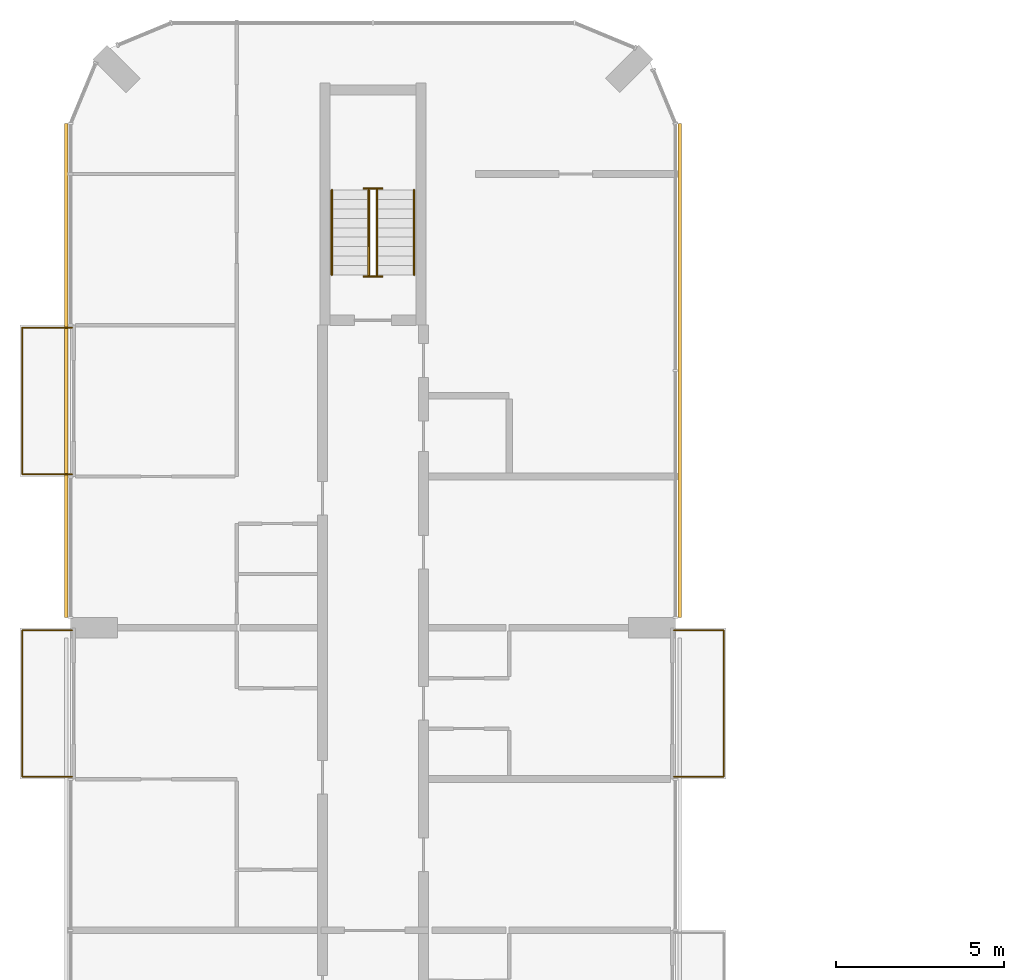
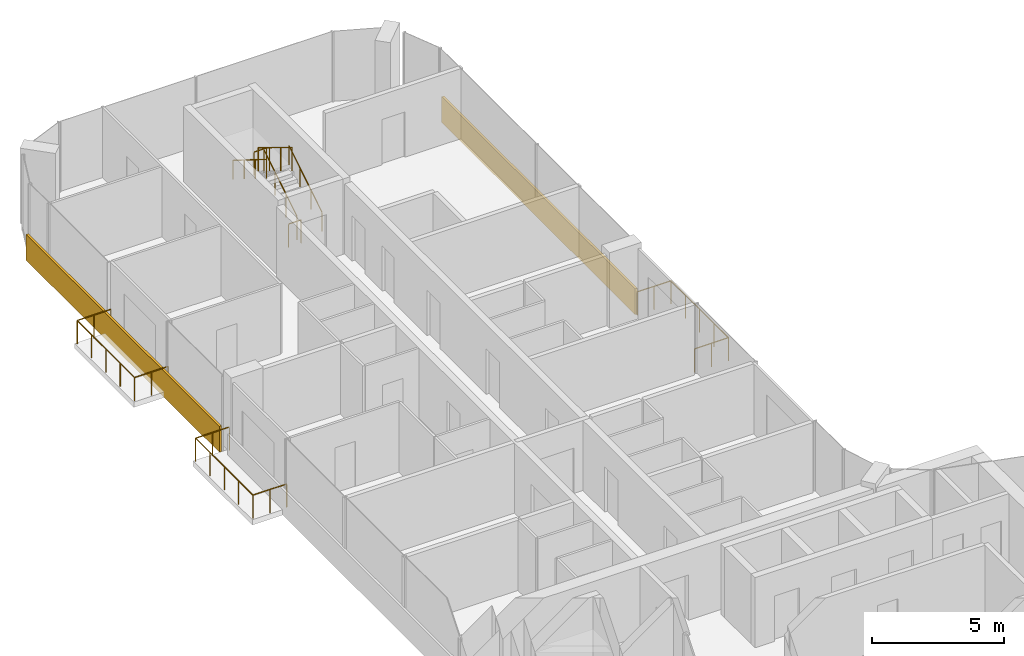
# One storey, part 15 of 15: 9 railings, 2 coverings.
"""IFC4 building model written with IfcOpenShell, lengths in metres."""

from ifc_helpers import new_model, si_unit, direction, frame, origin, origin_2d, place, context, subcontext, project, spatial, rectangle, circle, extrude, material, layer, layer_set, type_object, element, save


model = new_model("IFC4")

# Units and contexts
model_context = context("Model", 3, precision=1e-05, world=origin(), true_north=direction((0.0, 1.0)))
body_context = subcontext(model_context, "Body", "Model", "MODEL_VIEW")
ifc_project = project(units=[si_unit("LENGTHUNIT", "METRE"), si_unit("AREAUNIT", "SQUARE_METRE"), si_unit("VOLUMEUNIT", "CUBIC_METRE"), si_unit("PLANEANGLEUNIT", "RADIAN"), si_unit("MASSUNIT", "GRAM", prefix="KILO")], contexts=[model_context])

# Site, building, storey
site_placement = place(None, origin())
site = spatial("IfcSite", under=ifc_project, at=site_placement, CompositionType="ELEMENT")
building_placement = place(site_placement, origin())
building = spatial("IfcBuilding", under=site, at=building_placement, Name="Plateau Cross Towers", CompositionType="ELEMENT")
storey_placement = place(building_placement, frame((0.0, 0.0, 177.89990234375)))
storey = spatial("IfcBuildingStorey", under=building, at=storey_placement, Name="L46", CompositionType="ELEMENT", Elevation=177.89990234375)

# Railings
ifc_material_1 = material(Name="Stainless steel and toughened glass", Category="steel")
railing_type_1 = type_object("IfcRailingType", Name="Glass balustrade guard 1100", PredefinedType="GUARDRAIL", material=ifc_material_1)
for number, where, name in (
    (1, (0.050048828125, 31.570068359375, 0.0), "Guard guard1"),
    (2, (0.050048828125, 40.570068359375, 0.0), "Guard guard1"),
):
    element("IfcRailing", number, at=place(storey_placement, frame(where)), inside=storey, type_object=railing_type_1, Name=name, PredefinedType="GUARDRAIL", context=body_context, shape_type="SweptSolid", body=[
        extrude(circle(Radius=0.02392578125, at=origin_2d()), frame((0.0, 0.0, 1.076171875), z_axis=(-1.0, 0.0, 0.0), x_axis=(0.0, -1.0, 0.0)), (0.0, 0.0, 1.0), 1.47998046875),
        extrude(circle(Radius=0.02392578125, at=origin_2d()), frame((-1.47998046875, 0.0, 1.076171875), z_axis=(0.0, 1.0, 0.0), x_axis=(-1.0, 0.0, 0.0)), (0.0, 0.0, 1.0), 4.35986328125),
        extrude(circle(Radius=0.02392578125, at=origin_2d()), frame((-1.47998046875, 4.35986328125, 1.076171875), z_axis=(1.0, 0.0, 0.0), x_axis=(0.0, 1.0, 0.0)), (0.0, 0.0, 1.0), 1.47998046875),
        extrude(circle(Radius=0.02099609375, at=origin_2d()), origin(), (0.0, 0.0, 1.0), 1.052001953125),
        extrude(circle(Radius=0.02099609375, at=origin_2d()), frame((-0.739990234375, 0.0, 0.0)), (0.0, 0.0, 1.0), 1.052001953125),
        extrude(circle(Radius=0.02099609375, at=origin_2d()), frame((-1.47998046875, 0.0, 0.0)), (0.0, 0.0, 1.0), 1.052001953125),
        extrude(circle(Radius=0.02099609375, at=origin_2d()), frame((-1.47998046875, 1.08984375, 0.0)), (0.0, 0.0, 1.0), 1.052001953125),
        extrude(circle(Radius=0.02099609375, at=origin_2d()), frame((-1.47998046875, 2.179931640625, 0.0)), (0.0, 0.0, 1.0), 1.052001953125),
        extrude(circle(Radius=0.02099609375, at=origin_2d()), frame((-1.47998046875, 3.27001953125, 0.0)), (0.0, 0.0, 1.0), 1.052001953125),
        extrude(circle(Radius=0.02099609375, at=origin_2d()), frame((-1.47998046875, 4.35986328125, 0.0)), (0.0, 0.0, 1.0), 1.052001953125),
        extrude(circle(Radius=0.02099609375, at=origin_2d()), frame((-0.739990234375, 4.35986328125, 0.0)), (0.0, 0.0, 1.0), 1.052001953125),
        extrude(circle(Radius=0.02099609375, at=origin_2d()), frame((0.0, 4.35986328125, 0.0)), (0.0, 0.0, 1.0), 1.052001953125),
    ])
railing_1_placement = place(storey_placement, frame((17.949951171875, 35.929931640625, 0.0)))
element("IfcRailing", 3, at=railing_1_placement, inside=storey, type_object=railing_type_1, Name="Guard guard1", PredefinedType="GUARDRAIL", context=body_context, shape_type="SweptSolid", body=[
    extrude(circle(Radius=0.02392578125, at=origin_2d()), frame((0.0, 0.0, 1.076171875), z_axis=(1.0, 0.0, 0.0), x_axis=(0.0, 1.0, 0.0)), (0.0, 0.0, 1.0), 1.47998046875),
    extrude(circle(Radius=0.02392578125, at=origin_2d()), frame((1.47998046875, 0.0, 1.076171875), z_axis=(0.0, -1.0, 0.0), x_axis=(1.0, 0.0, 0.0)), (0.0, 0.0, 1.0), 4.35986328125),
    extrude(circle(Radius=0.02392578125, at=origin_2d()), frame((1.47998046875, -4.35986328125, 1.076171875), z_axis=(-1.0, 0.0, 0.0), x_axis=(0.0, -1.0, 0.0)), (0.0, 0.0, 1.0), 1.47998046875),
    extrude(circle(Radius=0.02099609375, at=origin_2d()), origin(), (0.0, 0.0, 1.0), 1.052001953125),
    extrude(circle(Radius=0.02099609375, at=origin_2d()), frame((0.739990234375, 0.0, 0.0)), (0.0, 0.0, 1.0), 1.052001953125),
    extrude(circle(Radius=0.02099609375, at=origin_2d()), frame((1.47998046875, 0.0, 0.0)), (0.0, 0.0, 1.0), 1.052001953125),
    extrude(circle(Radius=0.02099609375, at=origin_2d()), frame((1.47998046875, -1.08984375, 0.0)), (0.0, 0.0, 1.0), 1.052001953125),
    extrude(circle(Radius=0.02099609375, at=origin_2d()), frame((1.47998046875, -2.179931640625, 0.0)), (0.0, 0.0, 1.0), 1.052001953125),
    extrude(circle(Radius=0.02099609375, at=origin_2d()), frame((1.47998046875, -3.27001953125, 0.0)), (0.0, 0.0, 1.0), 1.052001953125),
    extrude(circle(Radius=0.02099609375, at=origin_2d()), frame((1.47998046875, -4.35986328125, 0.0)), (0.0, 0.0, 1.0), 1.052001953125),
    extrude(circle(Radius=0.02099609375, at=origin_2d()), frame((0.739990234375, -4.35986328125, 0.0)), (0.0, 0.0, 1.0), 1.052001953125),
    extrude(circle(Radius=0.02099609375, at=origin_2d()), frame((0.0, -4.35986328125, 0.0)), (0.0, 0.0, 1.0), 1.052001953125),
])
railing_type_2 = type_object("IfcRailingType", Name="RL-GUARD-1100", PredefinedType="GUARDRAIL", material=ifc_material_1)
railing_2_placement = place(storey_placement, frame((9.125, 46.5, 0.175048828125)))
element("IfcRailing", 4, at=railing_2_placement, inside=storey, type_object=railing_type_2, Name="L46 ES-N stair guard 1", PredefinedType="GUARDRAIL", context=body_context, shape_type="SweptSolid", body=[
    extrude(circle(Radius=0.02392578125, at=origin_2d()), frame((0.0, 0.0, 1.076171875), z_axis=(0.0, 0.848007534815, 0.529984170421), x_axis=(-1.0, 0.0, 0.0)), (0.0, 0.0, 1.0), 2.9716796875),
    extrude(circle(Radius=0.02099609375, at=origin_2d()), origin(), (0.0, 0.0, 1.0), 1.052001953125),
    extrude(circle(Radius=0.02099609375, at=origin_2d()), frame((0.0, 0.840087890625, 0.52490234375)), (0.0, 0.0, 1.0), 1.052001953125),
    extrude(circle(Radius=0.02099609375, at=origin_2d()), frame((0.0, 1.679931640625, 1.050048828125)), (0.0, 0.0, 1.0), 1.052001953125),
    extrude(circle(Radius=0.02099609375, at=origin_2d()), frame((0.0, 2.52001953125, 1.574951171875)), (0.0, 0.0, 1.0), 1.052001953125),
])
railing_3_placement = place(storey_placement, frame((9.27490234375, 49.070068359375, 1.75)))
element("IfcRailing", 5, at=railing_3_placement, inside=storey, type_object=railing_type_2, Name="L46 ES-N stair guard 2", PredefinedType="GUARDRAIL", context=body_context, shape_type="SweptSolid", body=[
    extrude(circle(Radius=0.02392578125, at=origin_2d()), frame((0.0, 0.0, 1.076171875), z_axis=(-1.0, 0.0, 0.0), x_axis=(0.0, -1.0, 0.0)), (0.0, 0.0, 1.0), 0.5498046875),
    extrude(circle(Radius=0.02099609375, at=origin_2d()), origin(), (0.0, 0.0, 1.0), 1.052001953125),
    extrude(circle(Radius=0.02099609375, at=origin_2d()), frame((-0.5498046875, 0.0, 0.0)), (0.0, 0.0, 1.0), 1.052001953125),
])
railing_4_placement = place(storey_placement, frame((8.875, 49.02001953125, 1.925048828125)))
element("IfcRailing", 6, at=railing_4_placement, inside=storey, type_object=railing_type_2, Name="L46 ES-N stair guard 3", PredefinedType="GUARDRAIL", context=body_context, shape_type="SweptSolid", body=[
    extrude(circle(Radius=0.02392578125, at=origin_2d()), frame((0.0, 0.0, 1.076171875), z_axis=(0.0, -0.852638500773, 0.522501279423), x_axis=(1.0, 0.0, 0.0)), (0.0, 0.0, 1.0), 3.01416015625),
    extrude(circle(Radius=0.02099609375, at=origin_2d()), origin(), (0.0, 0.0, 1.0), 1.052001953125),
    extrude(circle(Radius=0.02099609375, at=origin_2d()), frame((0.0, -0.856689453125, 0.52490234375)), (0.0, 0.0, 1.0), 1.052001953125),
    extrude(circle(Radius=0.02099609375, at=origin_2d()), frame((0.0, -1.71337890625, 1.050048828125)), (0.0, 0.0, 1.0), 1.052001953125),
    extrude(circle(Radius=0.02099609375, at=origin_2d()), frame((0.0, -2.570068359375, 1.574951171875)), (0.0, 0.0, 1.0), 1.052001953125),
])
railing_5_placement = place(storey_placement, frame((9.27490234375, 46.449951171875, 0.0)))
element("IfcRailing", 7, at=railing_5_placement, inside=storey, type_object=railing_type_2, Name="L46 ES-N stair guard 4", PredefinedType="GUARDRAIL", context=body_context, shape_type="SweptSolid", body=[
    extrude(circle(Radius=0.02392578125, at=origin_2d()), frame((0.0, 0.0, 1.076171875), z_axis=(-1.0, 0.0, 0.0), x_axis=(0.0, -1.0, 0.0)), (0.0, 0.0, 1.0), 0.5498046875),
    extrude(circle(Radius=0.02099609375, at=origin_2d()), origin(), (0.0, 0.0, 1.0), 1.052001953125),
    extrude(circle(Radius=0.02099609375, at=origin_2d()), frame((-0.5498046875, 0.0, 0.0)), (0.0, 0.0, 1.0), 1.052001953125),
])
ifc_material_2 = material(Name="Black anodised aluminium", Category="aluminium")
railing_type_3 = type_object("IfcRailingType", Name="RL-HANDRAIL-900", PredefinedType="HANDRAIL", material=ifc_material_2)
railing_6_placement = place(storey_placement, frame((10.22509765625, 46.5, 0.175048828125)))
element("IfcRailing", 8, at=railing_6_placement, inside=storey, type_object=railing_type_3, Name="L46 ES-N stair handrail 1", PredefinedType="HANDRAIL", context=body_context, shape_type="SweptSolid", body=[
    extrude(circle(Radius=0.02392578125, at=origin_2d()), frame((0.0, 0.0, 0.8759765625), z_axis=(0.0, 0.848007534815, 0.529984170421), x_axis=(-1.0, 0.0, 0.0)), (0.0, 0.0, 1.0), 2.9716796875),
    extrude(circle(Radius=0.02099609375, at=origin_2d()), origin(), (0.0, 0.0, 1.0), 0.851806640625),
    extrude(circle(Radius=0.02099609375, at=origin_2d()), frame((0.0, 0.840087890625, 0.52490234375)), (0.0, 0.0, 1.0), 0.851806640625),
    extrude(circle(Radius=0.02099609375, at=origin_2d()), frame((0.0, 1.679931640625, 1.050048828125)), (0.0, 0.0, 1.0), 0.851806640625),
    extrude(circle(Radius=0.02099609375, at=origin_2d()), frame((0.0, 2.52001953125, 1.574951171875)), (0.0, 0.0, 1.0), 0.851806640625),
])
railing_7_placement = place(storey_placement, frame((7.77490234375, 49.02001953125, 1.925048828125)))
element("IfcRailing", 9, at=railing_7_placement, inside=storey, type_object=railing_type_3, Name="L46 ES-N stair handrail 2", PredefinedType="HANDRAIL", context=body_context, shape_type="SweptSolid", body=[
    extrude(circle(Radius=0.02392578125, at=origin_2d()), frame((0.0, 0.0, 0.8759765625), z_axis=(0.0, -0.848007534815, 0.529984170421), x_axis=(1.0, 0.0, 0.0)), (0.0, 0.0, 1.0), 2.9716796875),
    extrude(circle(Radius=0.02099609375, at=origin_2d()), origin(), (0.0, 0.0, 1.0), 0.851806640625),
    extrude(circle(Radius=0.02099609375, at=origin_2d()), frame((0.0, -0.840087890625, 0.52490234375)), (0.0, 0.0, 1.0), 0.851806640625),
    extrude(circle(Radius=0.02099609375, at=origin_2d()), frame((0.0, -1.679931640625, 1.050048828125)), (0.0, 0.0, 1.0), 0.851806640625),
    extrude(circle(Radius=0.02099609375, at=origin_2d()), frame((0.0, -2.52001953125, 1.574951171875)), (0.0, 0.0, 1.0), 0.851806640625),
])

# Coverings
ifc_material_3 = material(Name="Precast concrete cladding C40/50", Category="concrete")
ifc_layer = layer(ifc_material_3, 0.10009765625)
ifc_layer_set = layer_set([ifc_layer], Name="Precast concrete cladding C40/50")
covering_type = type_object("IfcCoveringType", Name="Spandrel band cladding 100x1200", PredefinedType="CLADDING", material=ifc_layer_set)
for number, where, z_axis, x_axis, name in (
    (10, (18.1201171875, 43.64990234375, -0.25), (0.0, 0.0, 1.0), (0.0, 1.0, 0.0), "Spandrel band"),
    (11, (-0.1201171875, 43.64990234375, -0.25), (0.0, 0.0, 1.0), (0.0, -1.0, 0.0), "Spandrel band"),
):
    element("IfcCovering", number, at=place(storey_placement, frame(where, z_axis=z_axis, x_axis=x_axis)), inside=storey, type_object=covering_type, Name=name, PredefinedType="CLADDING", context=body_context, shape_type="SweptSolid", body=[
        extrude(rectangle(XDim=14.699951171875, YDim=0.10009765625, at=origin_2d()), origin(), (0.0, 0.0, 1.0), 1.199951171875),
    ])

save(model, "model.ifc")
